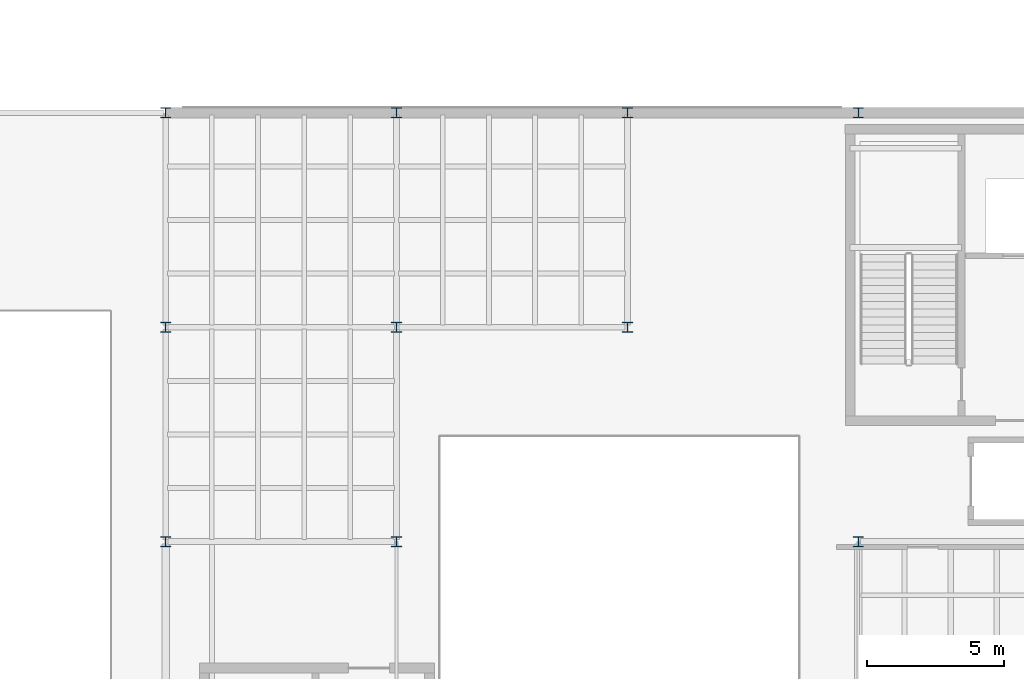
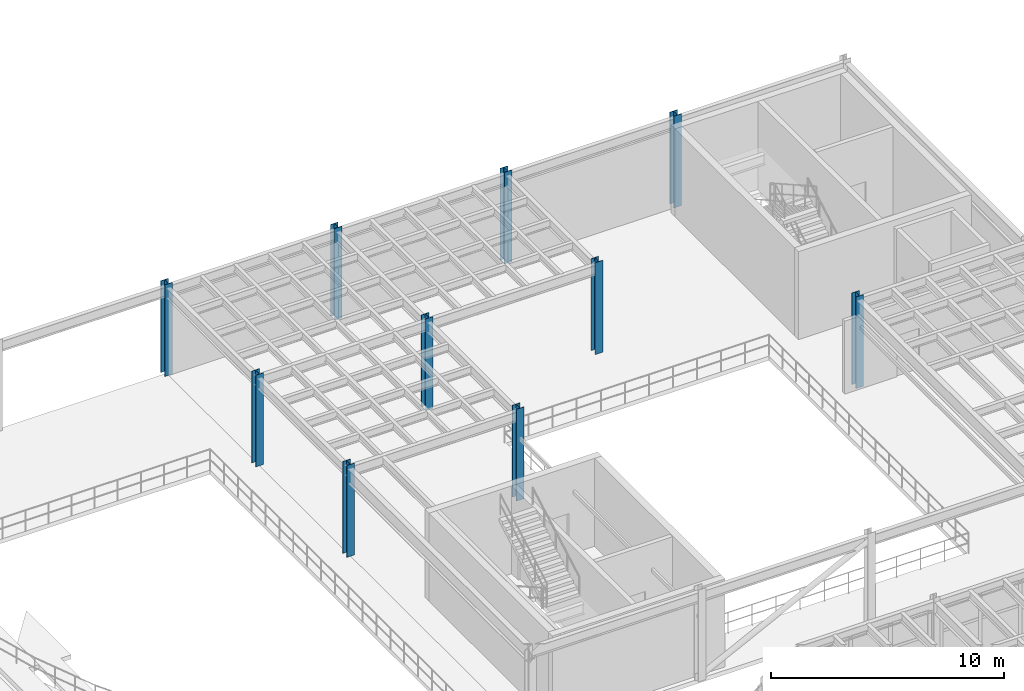
# One storey, part 4 of 105: 10 columns.
"""IFC4 building model written with IfcOpenShell, lengths in metres."""

from ifc_helpers import new_model, si_unit, direction, frame, origin, origin_2d, place, context, subcontext, project, spatial, i_section, extrude, material, material_profile, profile_set, type_object, element, save


model = new_model("IFC4")

# Units and contexts
model_context = context("Model", 3, precision=1e-05, world=origin(), true_north=direction((0.0, 1.0)))
body_context = subcontext(model_context, "Body", "Model", "MODEL_VIEW")
ifc_project = project(units=[si_unit("LENGTHUNIT", "METRE"), si_unit("AREAUNIT", "SQUARE_METRE"), si_unit("VOLUMEUNIT", "CUBIC_METRE"), si_unit("PLANEANGLEUNIT", "RADIAN"), si_unit("MASSUNIT", "GRAM", prefix="KILO")], contexts=[model_context])

# Site, building, storey
site_placement = place(None, origin())
site = spatial("IfcSite", under=ifc_project, at=site_placement, CompositionType="ELEMENT")
building_placement = place(site_placement, origin())
building = spatial("IfcBuilding", under=site, at=building_placement, Name="Selat Folded Stagehouse", CompositionType="ELEMENT")
storey_placement = place(building_placement, frame((0.0, 0.0, 10.199951171875)))
storey = spatial("IfcBuildingStorey", under=building, at=storey_placement, Name="L02", CompositionType="ELEMENT", Elevation=10.199951171875)

# Columns
ifc_material = material(Name="Steel S355", Category="steel")
ifc_material_profile = material_profile(ifc_material, i_section(OverallWidth=0.37255859375, OverallDepth=0.3681640625, WebThickness=0.014404296875, FlangeThickness=0.023681640625, FilletRadius=0.01513671875, at=origin_2d()), Name="UKC 356x368x177")
ifc_profile_set = profile_set([ifc_material_profile], Name="Steel S355")
column_type = type_object("IfcColumnType", Name="COL-UKC-356x368x177", PredefinedType="COLUMN", material=ifc_profile_set)
for number, where, z_axis, x_axis, name in (
    (1, (33.60009765625, 39.0, 0.0), (0.0, 0.0, 1.0), (1.0, 0.0, 0.0), "L02 column STK-V2-08"),
    (2, (33.60009765625, 46.800048828125, 0.0), (0.0, 0.0, 1.0), (1.0, 0.0, 0.0), "L02 column STK-V2-09"),
    (3, (33.60009765625, 54.60009765625, 0.0), (0.0, 0.0, 1.0), (1.0, 0.0, 0.0), "L02 column STK-V2-10"),
    (4, (42.0, 39.0, 0.0), (0.0, 0.0, 1.0), (1.0, 0.0, 0.0), "L02 column STK-V2-12"),
    (5, (42.0, 46.800048828125, 0.0), (0.0, 0.0, 1.0), (1.0, 0.0, 0.0), "L02 column STK-V2-13"),
    (6, (42.0, 54.60009765625, 0.0), (0.0, 0.0, 1.0), (1.0, 0.0, 0.0), "L02 column STK-V2-14"),
    (7, (50.39990234375, 46.800048828125, 0.0), (0.0, 0.0, 1.0), (1.0, 0.0, 0.0), "L02 column STK-V2-16"),
    (8, (50.39990234375, 54.60009765625, 0.0), (0.0, 0.0, 1.0), (1.0, 0.0, 0.0), "L02 column STK-V2-17"),
    (9, (58.800048828125, 39.0, 0.0), (0.0, 0.0, 1.0), (1.0, 0.0, 0.0), "L02 column STK-V2-19"),
    (10, (58.800048828125, 54.60009765625, 0.0), (0.0, 0.0, 1.0), (1.0, 0.0, 0.0), "L02 column STK-V2-20"),
):
    element("IfcColumn", number, at=place(storey_placement, frame(where, z_axis=z_axis, x_axis=x_axis)), inside=storey, type_object=column_type, Name=name, PredefinedType="COLUMN", context=body_context, shape_type="SweptSolid", body=[
        extrude(i_section(OverallWidth=0.37255859375, OverallDepth=0.3681640625, WebThickness=0.014404296875, FlangeThickness=0.023681640625, FilletRadius=0.01513671875, at=origin_2d()), origin(), (0.0, 0.0, 1.0), 4.800048828125),
    ])

save(model, "model.ifc")
